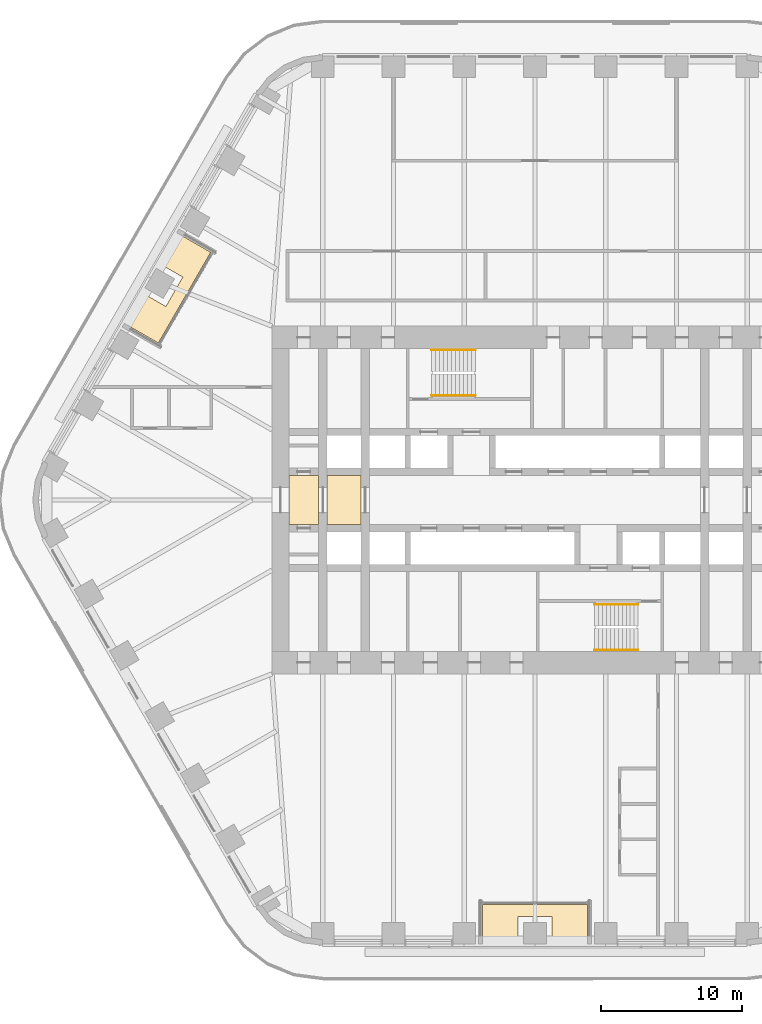
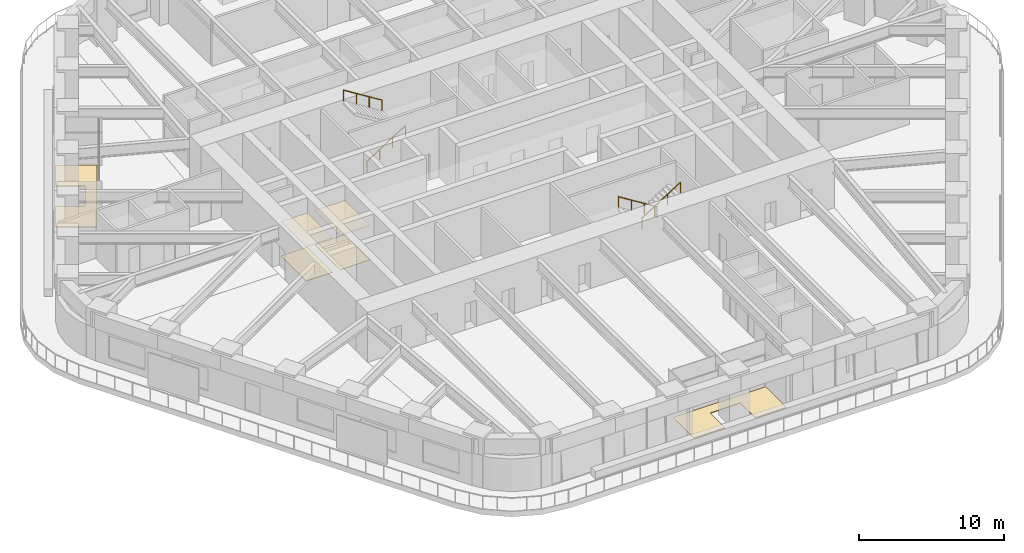
# One storey, part 22 of 24: 6 coverings, 4 railings.
"""IFC4 building model written with IfcOpenShell, lengths in metres."""

from ifc_helpers import new_model, si_unit, direction, frame, origin, origin_2d, place, context, subcontext, project, spatial, polyline, circle, outline, extrude, material, layer, layer_set, type_object, element, save


model = new_model("IFC4")

# Units and contexts
model_context = context("Model", 3, precision=1e-05, world=origin(), true_north=direction((0.0, 1.0)))
body_context = subcontext(model_context, "Body", "Model", "MODEL_VIEW")
ifc_project = project(units=[si_unit("LENGTHUNIT", "METRE"), si_unit("AREAUNIT", "SQUARE_METRE"), si_unit("VOLUMEUNIT", "CUBIC_METRE"), si_unit("PLANEANGLEUNIT", "RADIAN"), si_unit("MASSUNIT", "GRAM", prefix="KILO")], contexts=[model_context])

# Site, building, storey
site_placement = place(None, origin())
site = spatial("IfcSite", under=ifc_project, at=site_placement, CompositionType="ELEMENT")
building_placement = place(site_placement, origin())
building = spatial("IfcBuilding", under=site, at=building_placement, Name="Tarfa Lantern Tower", CompositionType="ELEMENT")
storey_placement = place(building_placement, frame((0.0, 0.0, 144.699951171875)))
storey = spatial("IfcBuildingStorey", under=building, at=storey_placement, Name="L32", CompositionType="ELEMENT", Elevation=144.699951171875)

# Coverings
ifc_material_1 = material(Name="Powder-coated aluminium panel", Category="aluminium")
ifc_layer_1 = layer(ifc_material_1, 0.030029296875)
ifc_layer_set_1 = layer_set([ifc_layer_1], Name="CL3 METAL PANEL CEILING 30")
covering_type_1 = type_object("IfcCoveringType", Name="CL3 METAL PANEL CEILING 30", PredefinedType="CEILING", material=ifc_layer_set_1)
covering_1_placement = place(storey_placement, frame((0.0, 0.0, 2.900146484375)))
element("IfcCovering", 1, at=covering_1_placement, inside=storey, type_object=covering_type_1, Name="Ceiling L32-01", PredefinedType="CEILING", context=body_context, shape_type="SweptSolid", body=[
    extrude(outline(polyline([(-17.39990234375, -1.75), (-15.300048828125, -1.75), (-15.300048828125, 1.75), (-17.39990234375, 1.75), (-17.39990234375, -1.75)])), origin(), (0.0, 0.0, 1.0), 0.02978515625),
])
covering_2_placement = place(storey_placement, frame((0.0, 0.0, 2.900146484375)))
element("IfcCovering", 2, at=covering_2_placement, inside=storey, type_object=covering_type_1, Name="Ceiling L32-02", PredefinedType="CEILING", context=body_context, shape_type="SweptSolid", body=[
    extrude(outline(polyline([(-14.699951171875, -1.75), (-12.300048828125, -1.75), (-12.300048828125, 1.75), (-14.699951171875, 1.75), (-14.699951171875, -1.75)])), origin(), (0.0, 0.0, 1.0), 0.02978515625),
])
ifc_material_2 = material(Name="Honed limestone flooring", Category="masonry")
ifc_layer_2 = layer(ifc_material_2, 0.030029296875)
ifc_layer_set_2 = layer_set([ifc_layer_2], Name="FL2 STONE FLOORING 30")
covering_type_2 = type_object("IfcCoveringType", Name="FL2 STONE FLOORING 30", PredefinedType="FLOORING", material=ifc_layer_set_2)
covering_3_placement = place(storey_placement, origin())
element("IfcCovering", 3, at=covering_3_placement, inside=storey, type_object=covering_type_2, Name="Floor finish L32-01", PredefinedType="FLOORING", context=body_context, shape_type="SweptSolid", body=[
    extrude(outline(polyline([(-17.39990234375, -1.75), (-15.300048828125, -1.75), (-15.300048828125, 1.75), (-17.39990234375, 1.75), (-17.39990234375, -1.75)])), origin(), (0.0, 0.0, 1.0), 0.030029296875),
])
covering_4_placement = place(storey_placement, origin())
element("IfcCovering", 4, at=covering_4_placement, inside=storey, type_object=covering_type_2, Name="Floor finish L32-02", PredefinedType="FLOORING", context=body_context, shape_type="SweptSolid", body=[
    extrude(outline(polyline([(-14.699951171875, -1.75), (-12.300048828125, -1.75), (-12.300048828125, 1.75), (-14.699951171875, 1.75), (-14.699951171875, -1.75)])), origin(), (0.0, 0.0, 1.0), 0.030029296875),
])

# Railings
ifc_material_3 = material(Name="Stainless steel", Category="steel")
railing_type = type_object("IfcRailingType", Name="HR1 HANDRAIL 900", PredefinedType="HANDRAIL", material=ifc_material_3)
railing_1_placement = place(storey_placement, frame((-7.300048828125, 7.3798828125, 0.175048828125)))
element("IfcRailing", 5, at=railing_1_placement, inside=storey, type_object=railing_type, Name="Handrail 1", PredefinedType="HANDRAIL", context=body_context, shape_type="SweptSolid", body=[
    extrude(circle(Radius=0.02392578125, at=origin_2d()), frame((0.0, 0.0, 0.8759765625), z_axis=(0.847998304005, 0.0, 0.529998940003), x_axis=(0.0, 1.0, 0.0)), (0.0, 0.0, 1.0), 3.632080078125),
    extrude(circle(Radius=0.02099609375, at=origin_2d()), frame((0.0, 0.0, 0.0), z_axis=(0.0, 0.0, 1.0), x_axis=(0.0, 1.0, 0.0)), (0.0, 0.0, 1.0), 0.851806640625),
    extrude(circle(Radius=0.02099609375, at=origin_2d()), frame((1.026611328125, 0.0, 0.6416015625), z_axis=(0.0, 0.0, 1.0), x_axis=(0.0, 1.0, 0.0)), (0.0, 0.0, 1.0), 0.851806640625),
    extrude(circle(Radius=0.02099609375, at=origin_2d()), frame((2.053466796875, 0.0, 1.283447265625), z_axis=(0.0, 0.0, 1.0), x_axis=(0.0, 1.0, 0.0)), (0.0, 0.0, 1.0), 0.851806640625),
    extrude(circle(Radius=0.02099609375, at=origin_2d()), frame((3.080078125, 0.0, 1.925048828125), z_axis=(0.0, 0.0, 1.0), x_axis=(0.0, 1.0, 0.0)), (0.0, 0.0, 1.0), 0.851806640625),
])
railing_2_placement = place(storey_placement, frame((-4.219970703125, 10.6201171875, 2.275146484375)))
element("IfcRailing", 6, at=railing_2_placement, inside=storey, type_object=railing_type, Name="Handrail 2", PredefinedType="HANDRAIL", context=body_context, shape_type="SweptSolid", body=[
    extrude(circle(Radius=0.02392578125, at=origin_2d()), frame((0.0, 0.0, 0.8759765625), z_axis=(-0.848028513186, 0.0, 0.529950602248), x_axis=(0.0, -1.0, 0.0)), (0.0, 0.0, 1.0), 3.632080078125),
    extrude(circle(Radius=0.02099609375, at=origin_2d()), frame((0.0, 0.0, 0.0), z_axis=(0.0, 0.0, 1.0), x_axis=(0.0, -1.0, 0.0)), (0.0, 0.0, 1.0), 0.851806640625),
    extrude(circle(Radius=0.02099609375, at=origin_2d()), frame((-1.026611328125, 0.0, 0.6416015625), z_axis=(0.0, 0.0, 1.0), x_axis=(0.0, -1.0, 0.0)), (0.0, 0.0, 1.0), 0.851806640625),
    extrude(circle(Radius=0.02099609375, at=origin_2d()), frame((-2.053466796875, 0.0, 1.283203125), z_axis=(0.0, 0.0, 1.0), x_axis=(0.0, -1.0, 0.0)), (0.0, 0.0, 1.0), 0.851806640625),
    extrude(circle(Radius=0.02099609375, at=origin_2d()), frame((-3.080078125, 0.0, 1.9248046875), z_axis=(0.0, 0.0, 1.0), x_axis=(0.0, -1.0, 0.0)), (0.0, 0.0, 1.0), 0.851806640625),
])
railing_3_placement = place(storey_placement, frame((7.300048828125, -7.3798828125, 0.175048828125)))
element("IfcRailing", 7, at=railing_3_placement, inside=storey, type_object=railing_type, Name="Handrail 1", PredefinedType="HANDRAIL", context=body_context, shape_type="SweptSolid", body=[
    extrude(circle(Radius=0.02392578125, at=origin_2d()), frame((0.0, 0.0, 0.8759765625), z_axis=(-0.847998304005, 0.0, 0.529998940003), x_axis=(0.0, -1.0, 0.0)), (0.0, 0.0, 1.0), 3.632080078125),
    extrude(circle(Radius=0.02099609375, at=origin_2d()), frame((0.0, 0.0, 0.0), z_axis=(0.0, 0.0, 1.0), x_axis=(0.0, -1.0, 0.0)), (0.0, 0.0, 1.0), 0.851806640625),
    extrude(circle(Radius=0.02099609375, at=origin_2d()), frame((-1.026611328125, 0.0, 0.6416015625), z_axis=(0.0, 0.0, 1.0), x_axis=(0.0, -1.0, 0.0)), (0.0, 0.0, 1.0), 0.851806640625),
    extrude(circle(Radius=0.02099609375, at=origin_2d()), frame((-2.053466796875, 0.0, 1.283447265625), z_axis=(0.0, 0.0, 1.0), x_axis=(0.0, -1.0, 0.0)), (0.0, 0.0, 1.0), 0.851806640625),
    extrude(circle(Radius=0.02099609375, at=origin_2d()), frame((-3.080078125, 0.0, 1.925048828125), z_axis=(0.0, 0.0, 1.0), x_axis=(0.0, -1.0, 0.0)), (0.0, 0.0, 1.0), 0.851806640625),
])
railing_4_placement = place(storey_placement, frame((4.219970703125, -10.6201171875, 2.275146484375)))
element("IfcRailing", 8, at=railing_4_placement, inside=storey, type_object=railing_type, Name="Handrail 2", PredefinedType="HANDRAIL", context=body_context, shape_type="SweptSolid", body=[
    extrude(circle(Radius=0.02392578125, at=origin_2d()), frame((0.0, 0.0, 0.8759765625), z_axis=(0.848028513186, 0.0, 0.529950602248), x_axis=(0.0, 1.0, 0.0)), (0.0, 0.0, 1.0), 3.632080078125),
    extrude(circle(Radius=0.02099609375, at=origin_2d()), frame((0.0, 0.0, 0.0), z_axis=(0.0, 0.0, 1.0), x_axis=(0.0, 1.0, 0.0)), (0.0, 0.0, 1.0), 0.851806640625),
    extrude(circle(Radius=0.02099609375, at=origin_2d()), frame((1.026611328125, 0.0, 0.6416015625), z_axis=(0.0, 0.0, 1.0), x_axis=(0.0, 1.0, 0.0)), (0.0, 0.0, 1.0), 0.851806640625),
    extrude(circle(Radius=0.02099609375, at=origin_2d()), frame((2.053466796875, 0.0, 1.283203125), z_axis=(0.0, 0.0, 1.0), x_axis=(0.0, 1.0, 0.0)), (0.0, 0.0, 1.0), 0.851806640625),
    extrude(circle(Radius=0.02099609375, at=origin_2d()), frame((3.080078125, 0.0, 1.9248046875), z_axis=(0.0, 0.0, 1.0), x_axis=(0.0, 1.0, 0.0)), (0.0, 0.0, 1.0), 0.851806640625),
])

# Coverings
ifc_material_4 = material(Name="Porcelain pavers on pedestals", Category="ceramic")
ifc_layer_3 = layer(ifc_material_4, 0.0400390625)
ifc_layer_set_3 = layer_set([ifc_layer_3], Name="LP1 LOGGIA PAVING 40")
covering_type_3 = type_object("IfcCoveringType", Name="LP1 LOGGIA PAVING 40", PredefinedType="FLOORING", material=ifc_layer_set_3)
covering_5_placement = place(storey_placement, origin())
element("IfcCovering", 9, at=covering_5_placement, inside=storey, type_object=covering_type_3, Name="Loggia paving NW", PredefinedType="FLOORING", context=body_context, shape_type="SweptSolid", body=[
    extrude(outline(polyline([(-25.427978515625, 18.95751953125), (-22.933837890625, 17.517578125), (-26.637451171875, 11.1025390625), (-29.131591796875, 12.54248046875), (-27.8798828125, 14.710693359375), (-26.1044921875, 13.685791015625), (-24.904541015625, 15.76416015625), (-26.6796875, 16.789306640625), (-25.427978515625, 18.95751953125)])), origin(), (0.0, 0.0, 1.0), 0.0400390625),
])
covering_6_placement = place(storey_placement, origin())
element("IfcCovering", 10, at=covering_6_placement, inside=storey, type_object=covering_type_3, Name="Loggia paving S", PredefinedType="FLOORING", context=body_context, shape_type="SweptSolid", body=[
    extrude(outline(polyline([(-3.70361328125, -31.5), (-3.70361328125, -28.6201171875), (3.70361328125, -28.6201171875), (3.70361328125, -31.5), (1.199951171875, -31.5), (1.199951171875, -29.449951171875), (-1.199951171875, -29.449951171875), (-1.199951171875, -31.5), (-3.70361328125, -31.5)])), origin(), (0.0, 0.0, 1.0), 0.0400390625),
])

save(model, "model.ifc")
